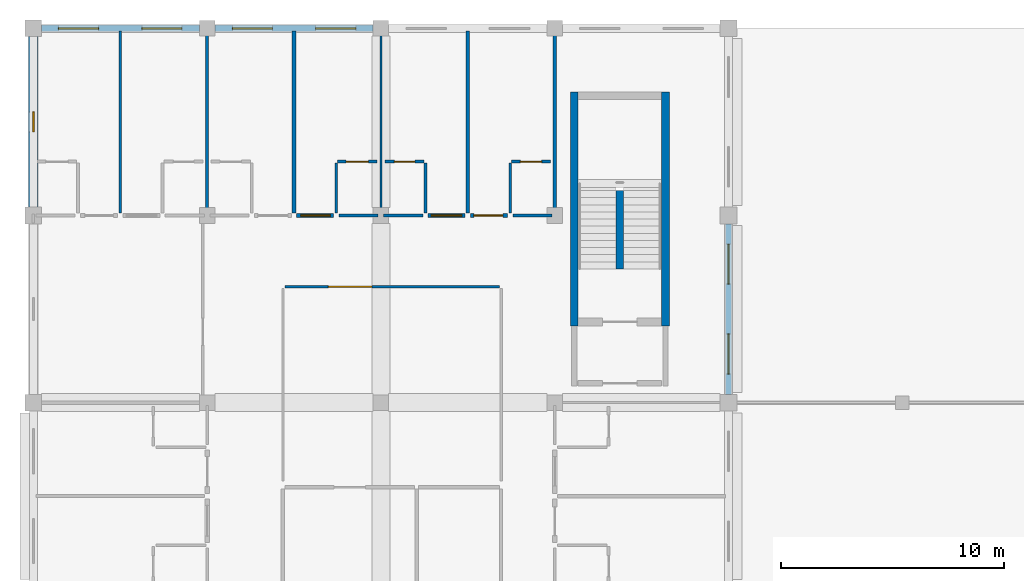
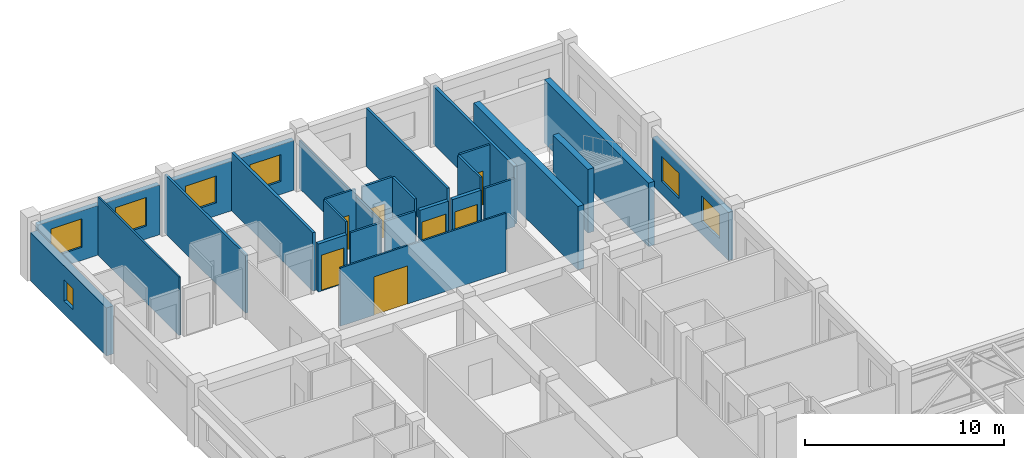
# One storey, part 59 of 72: 26 walls, 7 doors, 7 windows, 14 openings.
"""IFC4 building model written with IfcOpenShell, lengths in metres."""

import ifcopenshell
import ifcopenshell.guid

model = None  # the IFC model being written
_history = None  # IfcOwnerHistory: only IFC2X3 demands one
_inside = {}  # id of a spatial element -> (the spatial element, [elements in it])
_under = {}  # id of a project, library or spatial element -> (it, [spatial elements below it])
_declared = {}  # id of a project -> (the project, [libraries it declares])
_typed = {}  # id of a type object -> (the type object, [elements of that type])
_made_of = {}  # id of a material, layer set ... -> (it, [elements and type objects made of it])


def new_model(schema):
    """Start an empty IFC model of exactly this schema.

    Asked for "IFC4X3", IfcOpenShell would pick the latest addendum, in which some entities
    have other attributes; the version numbers below select the first issue.
    IFC2X3 requires an IfcOwnerHistory on every rooted entity: one is made here for all.
    """
    global model, _history
    if schema == "IFC4X3":
        model = ifcopenshell.file(schema_version=(4, 3, 0, 0))
    else:
        model = ifcopenshell.file(schema=schema)
    _inside.clear()
    _under.clear()
    _declared.clear()
    _typed.clear()
    _made_of.clear()
    _history = None
    if model.schema == "IFC2X3":
        org = make("IfcOrganization", Name="unknown")
        user = make(
            "IfcPersonAndOrganization",
            ThePerson=make("IfcPerson", FamilyName="unknown"),
            TheOrganization=org,
        )
        app = make(
            "IfcApplication",
            ApplicationDeveloper=org,
            Version="unknown",
            ApplicationFullName="unknown",
            ApplicationIdentifier="unknown",
        )
        _history = make(
            "IfcOwnerHistory",
            OwningUser=user,
            OwningApplication=app,
            ChangeAction="ADDED",
            CreationDate=0,
        )
    return model


def make(cls, **values):
    """One entity of the class cls with the attributes given. An attribute that is None is left unset."""
    return model.create_entity(
        cls, **{name: value for name, value in values.items() if value is not None}
    )


def rooted(cls, **values):
    """An entity with a GlobalId (a new one), such as an element, a storey or a relation."""
    return make(cls, GlobalId=ifcopenshell.guid.new(), OwnerHistory=_history, **values)


def si_unit(unit_type, name, prefix=None):
    """IfcSIUnit, for example si_unit("LENGTHUNIT", "METRE", prefix="MILLI")."""
    return make("IfcSIUnit", UnitType=unit_type, Prefix=prefix, Name=name)


def assignment(units):
    """IfcUnitAssignment: the units of a project."""
    return None if units is None else make("IfcUnitAssignment", Units=units)


def point(xyz):
    """IfcCartesianPoint."""
    return None if xyz is None else make("IfcCartesianPoint", Coordinates=xyz)


def direction(xyz):
    """IfcDirection."""
    return None if xyz is None else make("IfcDirection", DirectionRatios=xyz)


def frame(location, z_axis=None, x_axis=None):
    """IfcAxis2Placement3D, a coordinate frame: its origin and axes. An axis left out is left unset."""
    return make(
        "IfcAxis2Placement3D",
        Location=point(location),
        Axis=direction(z_axis),
        RefDirection=direction(x_axis),
    )


def frame_2d(location, x_axis=None):
    """IfcAxis2Placement2D, a coordinate frame in the plane: its origin and x axis."""
    return make(
        "IfcAxis2Placement2D", Location=point(location), RefDirection=direction(x_axis)
    )


def origin():
    """The frame at (0, 0, 0) with its axes left unset."""
    return frame((0.0, 0.0, 0.0))


def place(relative_to, where):
    """IfcLocalPlacement: puts the frame where relative to a parent placement (None: the world)."""
    return make(
        "IfcLocalPlacement", PlacementRelTo=relative_to, RelativePlacement=where
    )


def context(
    kind, dimensions, precision=None, world=None, true_north=None, identifier=None
):
    """IfcGeometricRepresentationContext, for example the 3D "Model" context."""
    return make(
        "IfcGeometricRepresentationContext",
        ContextIdentifier=identifier,
        ContextType=kind,
        CoordinateSpaceDimension=dimensions,
        Precision=precision,
        WorldCoordinateSystem=world,
        TrueNorth=true_north,
    )


def subcontext(parent, identifier, kind, view, scale=None):
    """IfcGeometricRepresentationSubContext, for example "Body" below "Model"."""
    return make(
        "IfcGeometricRepresentationSubContext",
        ContextIdentifier=identifier,
        ContextType=kind,
        ParentContext=parent,
        TargetScale=scale,
        TargetView=view,
    )


def project(units=None, contexts=None):
    """IfcProject with its units and contexts."""
    return rooted(
        "IfcProject",
        Name="project",
        RepresentationContexts=contexts,
        UnitsInContext=assignment(units),
    )


def spatial(cls, under=None, at=None, **own):
    """A site, building, storey or space (cls), placed at a placement, below another one or the project."""
    s = rooted(cls, ObjectPlacement=at, **own)
    if under is not None:
        _under.setdefault(under.id(), (under, []))[1].append(s)
    return s


def profile(cls, at=None, kind="AREA", **sizes):
    """A parametric profile (cls). Its sizes go by their IFC names, for example OverallWidth=200.0."""
    return make(cls, ProfileType=kind, Position=at, **sizes)


def rectangle(**sizes):
    """IfcRectangleProfileDef."""
    return profile("IfcRectangleProfileDef", **sizes)


def extrude(swept, where, along, depth):
    """IfcExtrudedAreaSolid: the profile swept, set in the frame where, extruded along a direction by depth."""
    return make(
        "IfcExtrudedAreaSolid",
        SweptArea=swept,
        Position=where,
        ExtrudedDirection=direction(along),
        Depth=depth,
    )


def shape(context_of_items, identifier, shape_type, items):
    """IfcShapeRepresentation: the items that make up one representation, for example the "Body"."""
    return make(
        "IfcShapeRepresentation",
        ContextOfItems=context_of_items,
        RepresentationIdentifier=identifier,
        RepresentationType=shape_type,
        Items=items,
    )


def material(Name=None, Category=None):
    """IfcMaterial."""
    return make("IfcMaterial", Name=Name, Category=Category)


def layer(
    of_material, thickness, ventilated=None, Name=None, Category=None, Priority=None
):
    """IfcMaterialLayer: one layer of a wall or slab, of a material (None: an air gap)."""
    return make(
        "IfcMaterialLayer",
        Material=of_material,
        LayerThickness=thickness,
        IsVentilated=ventilated,
        Name=Name,
        Category=Category,
        Priority=Priority,
    )


def layer_set(layers, Name=None):
    """IfcMaterialLayerSet."""
    return make("IfcMaterialLayerSet", MaterialLayers=layers, LayerSetName=Name)


def made_of(thing, what):
    """Note that an element or type object is made of a material, layer set ...; save() writes the relation."""
    if what is not None:
        _made_of.setdefault(what.id(), (what, []))[1].append(thing)
    return thing


def type_object(cls, material=None, **own):
    """A type object (cls), such as IfcWallType, which elements share."""
    return made_of(rooted(cls, **own), material)


def element(
    cls,
    number,
    at=None,
    inside=None,
    cuts=None,
    type_object=None,
    material=None,
    context=None,
    identifier="Body",
    shape_type=None,
    held_by="IfcProductDefinitionShape",
    body=None,
    shapes=None,
    **own,
):
    """One element of the class cls, such as IfcWall. Its Tag is "e" and its number.

    at: its placement. inside: the storey or other place that contains it. cuts: it is an
    opening in that element (IfcRelVoidsElement). A single representation is given by context,
    identifier, shape_type and body (its items); several are given by shapes. held_by: the class
    of the entity that holds the representations. save() writes the other relations.
    """
    e = rooted(cls, Tag="e%d" % number, ObjectPlacement=at, **own)
    if body is not None:
        shapes = [shape(context, identifier, shape_type, body)]
    if shapes is not None:
        e.Representation = make(held_by, Representations=shapes)
    if inside is not None:
        _inside.setdefault(inside.id(), (inside, []))[1].append(e)
    if cuts is not None:
        rooted(
            "IfcRelVoidsElement", RelatingBuildingElement=cuts, RelatedOpeningElement=e
        )
    if type_object is not None:
        _typed.setdefault(type_object.id(), (type_object, []))[1].append(e)
    return made_of(e, material)


def fill(opening, filler):
    """IfcRelFillsElement: the door or window that sits in an opening."""
    return rooted(
        "IfcRelFillsElement",
        RelatingOpeningElement=opening,
        RelatedBuildingElement=filler,
    )


def aggregate(whole, parts):
    """IfcRelAggregates: a whole, such as a stair, and the parts it consists of."""
    return rooted("IfcRelAggregates", RelatingObject=whole, RelatedObjects=parts)


def save(model, path):
    """Write the relations noted so far, then the file.

    IfcRelAggregates (storeys below a building ...), IfcRelContainedInSpatialStructure (elements
    in a storey), IfcRelDefinesByType, IfcRelAssociatesMaterial and IfcRelDeclares: one each for
    every whole, place, type object, material and project.
    """
    for whole, parts in _under.values():
        aggregate(whole, parts)
    for where, things in _inside.values():
        rooted(
            "IfcRelContainedInSpatialStructure",
            RelatedElements=things,
            RelatingStructure=where,
        )
    for kind, things in _typed.values():
        rooted("IfcRelDefinesByType", RelatedObjects=things, RelatingType=kind)
    for what, things in _made_of.values():
        rooted("IfcRelAssociatesMaterial", RelatedObjects=things, RelatingMaterial=what)
    for by, libraries in _declared.values():
        rooted("IfcRelDeclares", RelatingContext=by, RelatedDefinitions=libraries)
    model.write(path)


model = new_model("IFC4")

# Units and contexts
model_context = context("Model", 3, precision=1e-05, world=origin(), true_north=direction((0.0, 1.0)))
body_context = subcontext(model_context, "Body", "Model", "MODEL_VIEW")
ifc_project = project(units=[si_unit("LENGTHUNIT", "METRE"), si_unit("AREAUNIT", "SQUARE_METRE"), si_unit("VOLUMEUNIT", "CUBIC_METRE"), si_unit("PLANEANGLEUNIT", "RADIAN"), si_unit("MASSUNIT", "GRAM", prefix="KILO"), si_unit("THERMODYNAMICTEMPERATUREUNIT", "KELVIN"), si_unit("POWERUNIT", "WATT")], contexts=[model_context])

# Site, building, storey
site_placement = place(None, origin())
site = spatial("IfcSite", under=ifc_project, at=site_placement, CompositionType="ELEMENT")
building_placement = place(site_placement, origin())
building = spatial("IfcBuilding", under=site, at=building_placement, Name="Srebrne Nadtorze General Hospital", CompositionType="ELEMENT")
storey_placement = place(building_placement, frame((0.0, 0.0, 22.199951171875)))
storey = spatial("IfcBuildingStorey", under=building, at=storey_placement, Name="L05", CompositionType="ELEMENT", Elevation=22.199951171875)

# Wall, opening, window
ifc_material_1 = material(Name="Concrete C40/50", Category="concrete")
ifc_layer_1 = layer(ifc_material_1, 0.419921875)
ifc_layer_set_1 = layer_set([ifc_layer_1], Name="Concrete C40/50")
wall_type_1 = type_object("IfcWallType", Name="Acoustic buffer wall 420", PredefinedType="SOLIDWALL", material=ifc_layer_set_1)
wall_1_placement = place(storey_placement, frame((23.39990234375, 84.375, 0.0), z_axis=(0.0, 0.0, 1.0), x_axis=(0.0, 1.0, 0.0)))
wall_1 = element("IfcWall", 1, at=wall_1_placement, inside=storey, type_object=wall_type_1, Name="Exterior wall WL-ENV-L05-0433", PredefinedType="SOLIDWALL", context=body_context, shape_type="SweptSolid", body=[
    extrude(rectangle(XDim=7.64990234375, YDim=0.419921875, at=frame_2d((3.824951171875, 0.0))), origin(), (0.0, 0.0, 1.0), 2.949951171875),
])
opening_1_placement = place(wall_1_placement, frame((3.375, 0.0, 0.800048828125)))
opening_1 = element("IfcOpeningElement", 2, at=opening_1_placement, cuts=wall_1, Name="Opening WN-L05-0694", PredefinedType="OPENING", context=body_context, shape_type="SweptSolid", body=[
    extrude(rectangle(XDim=0.89990234375, YDim=1.300048828125, at=frame_2d((0.449951171875, 0.64990234375))), frame((0.0, 0.221923828125, 0.0), z_axis=(0.0, -1.0, 0.0), x_axis=(1.0, 0.0, 0.0)), (0.0, 0.0, 1.0), 0.44384765625),
])
ifc_material_2 = material(Name="Triple Low-E Glazing", Category="glass")
window_type_1 = type_object("IfcWindowType", Name="Punched clinical window 900x1300", PartitioningType="SINGLE_PANEL", PredefinedType="WINDOW", material=ifc_material_2)
window_1_placement = place(opening_1_placement, origin())
window_1 = element("IfcWindow", 3, at=window_1_placement, inside=storey, type_object=window_type_1, Name="Clinical window WN-L05-0694", OverallHeight=1.300048828125, OverallWidth=0.89990234375, PartitioningType="SINGLE_PANEL", PredefinedType="WINDOW", context=body_context, shape_type="SweptSolid", body=[
    extrude(rectangle(XDim=0.89990234375, YDim=1.300048828125, at=frame_2d((0.449951171875, 0.64990234375))), frame((0.0, 0.030029296875, 0.0), z_axis=(0.0, -1.0, 0.0), x_axis=(1.0, 0.0, 0.0)), (0.0, 0.0, 1.0), 0.06005859375),
])
fill(opening_1, window_1)

# Walls
ifc_material_3 = material(Name="Gypsum Healthcare Partition")
ifc_layer_2 = layer(ifc_material_3, 0.139892578125)
ifc_layer_set_2 = layer_set([ifc_layer_2], Name="Gypsum Healthcare Partition")
wall_type_2 = type_object("IfcWallType", Name="Clinical partition 140", PredefinedType="PARTITIONING", material=ifc_layer_set_2)
for number, where, z_axis, x_axis, name in (
    (4, (31.199951171875, 84.1201171875, 0.0), (0.0, 0.0, 1.0), (0.0, 1.0, 0.0), "Ward inter-room partition WL-INT-L05-1927"),
    (5, (42.89990234375, 84.1201171875, 0.0), (0.0, 0.0, 1.0), (0.0, 1.0, 0.0), "Ward inter-room partition WL-INT-L05-1942"),
):
    element("IfcWall", number, at=place(storey_placement, frame(where, z_axis=z_axis, x_axis=x_axis)), inside=storey, type_object=wall_type_2, Name=name, PredefinedType="PARTITIONING", context=body_context, shape_type="SweptSolid", body=[
        extrude(rectangle(XDim=8.159912109375, YDim=0.139892578125, at=frame_2d((4.080078125, 0.0))), origin(), (0.0, 0.0, 1.0), 3.580078125),
    ])
ifc_material_4 = material(Name="Gypsum Healthcare Partition")
ifc_layer_3 = layer(ifc_material_4, 0.159912109375)
ifc_layer_set_3 = layer_set([ifc_layer_3], Name="Gypsum Healthcare Partition")
wall_type_3 = type_object("IfcWallType", Name="Clinical partition 160", PredefinedType="PARTITIONING", material=ifc_layer_set_3)
for number, where, z_axis, x_axis, name in (
    (6, (35.10009765625, 84.1201171875, 0.0), (0.0, 0.0, 1.0), (0.0, 1.0, 0.0), "Ward inter-room partition WL-INT-L05-1932"),
    (7, (46.800048828125, 84.1201171875, 0.0), (0.0, 0.0, 1.0), (0.0, 1.0, 0.0), "Ward inter-room partition WL-INT-L05-1947"),
):
    element("IfcWall", number, at=place(storey_placement, frame(where, z_axis=z_axis, x_axis=x_axis)), inside=storey, type_object=wall_type_3, Name=name, PredefinedType="PARTITIONING", context=body_context, shape_type="SweptSolid", body=[
        extrude(rectangle(XDim=8.159912109375, YDim=0.159912109375, at=frame_2d((4.080078125, 0.0))), origin(), (0.0, 0.0, 1.0), 3.580078125),
    ])

# Wall, opening, door
ifc_material_5 = material(Name="Gypsum Healthcare Partition")
ifc_layer_4 = layer(ifc_material_5, 0.199951171875)
ifc_layer_set_4 = layer_set([ifc_layer_4], Name="Gypsum Healthcare Partition")
wall_type_4 = type_object("IfcWallType", Name="Compartment wall 200", PredefinedType="STANDARD", material=ifc_layer_set_4)
wall_2_placement = place(storey_placement, frame((35.219970703125, 84.0, 0.0), z_axis=(0.0, 0.0, 1.0), x_axis=(1.0, 0.0, 0.0)))
wall_2 = element("IfcWall", 8, at=wall_2_placement, inside=storey, type_object=wall_type_4, Name="Ward corridor wall WL-INT-L05-1938", PredefinedType="STANDARD", context=body_context, shape_type="SweptSolid", body=[
    extrude(rectangle(XDim=1.659912109375, YDim=0.199951171875, at=frame_2d((0.830078125, 0.0))), origin(), (0.0, 0.0, 1.0), 2.949951171875),
])
opening_2_placement = place(wall_2_placement, frame((0.18994140625, 0.0, 0.0)))
opening_2 = element("IfcOpeningElement", 9, at=opening_2_placement, cuts=wall_2, Name="Opening D-L05-0380", PredefinedType="OPENING", context=body_context, shape_type="SweptSolid", body=[
    extrude(rectangle(XDim=1.320068359375, YDim=2.199951171875, at=frame_2d((0.66015625, 1.10009765625))), frame((0.0, 0.11181640625, 0.0), z_axis=(0.0, -1.0, 0.0), x_axis=(1.0, 0.0, 0.0)), (0.0, 0.0, 1.0), 0.223876953125),
])
ifc_material_6 = material(Name="Anodised Aluminium", Category="aluminium")
door_type_1 = type_object("IfcDoorType", Name="Single leaf door 1320x2200", OperationType="NOTDEFINED", PredefinedType="DOOR", material=ifc_material_6)
door_1_placement = place(opening_2_placement, origin())
door_1 = element("IfcDoor", 10, at=door_1_placement, inside=storey, type_object=door_type_1, Name="Ward patient room door D-L05-0380", OperationType="SINGLE_SWING_RIGHT", OverallHeight=2.199951171875, OverallWidth=1.320068359375, PredefinedType="DOOR", context=body_context, shape_type="SweptSolid", body=[
    extrude(rectangle(XDim=1.320068359375, YDim=2.199951171875, at=frame_2d((0.66015625, 1.10009765625))), frame((0.0, 0.02490234375, 0.0), z_axis=(0.0, -1.0, 0.0), x_axis=(1.0, 0.0, 0.0)), (0.0, 0.0, 1.0), 0.050048828125),
])
fill(opening_2, door_1)

wall_3_placement = place(storey_placement, frame((41.1201171875, 84.0, 0.0), z_axis=(0.0, 0.0, 1.0), x_axis=(1.0, 0.0, 0.0)))
wall_3 = element("IfcWall", 11, at=wall_3_placement, inside=storey, type_object=wall_type_4, Name="Ward corridor wall WL-INT-L05-1943", PredefinedType="STANDARD", context=body_context, shape_type="SweptSolid", body=[
    extrude(rectangle(XDim=1.659912109375, YDim=0.199951171875, at=frame_2d((0.830078125, 0.0))), origin(), (0.0, 0.0, 1.0), 2.949951171875),
])
opening_3_placement = place(wall_3_placement, frame((0.139892578125, 0.0, 0.0)))
opening_3 = element("IfcOpeningElement", 12, at=opening_3_placement, cuts=wall_3, Name="Opening D-L05-0382", PredefinedType="OPENING", context=body_context, shape_type="SweptSolid", body=[
    extrude(rectangle(XDim=1.3798828125, YDim=2.199951171875, at=frame_2d((0.68994140625, 1.10009765625))), frame((0.0, 0.11181640625, 0.0), z_axis=(0.0, -1.0, 0.0), x_axis=(1.0, 0.0, 0.0)), (0.0, 0.0, 1.0), 0.223876953125),
])
ifc_material_7 = material(Name="Anodised Aluminium", Category="aluminium")
door_type_2 = type_object("IfcDoorType", Name="Single leaf door 1380x2200", OperationType="NOTDEFINED", PredefinedType="DOOR", material=ifc_material_7)
door_2_placement = place(opening_3_placement, origin())
door_2 = element("IfcDoor", 13, at=door_2_placement, inside=storey, type_object=door_type_2, Name="Ward patient room door D-L05-0382", OperationType="SINGLE_SWING_LEFT", OverallHeight=2.199951171875, OverallWidth=1.3798828125, PredefinedType="DOOR", context=body_context, shape_type="SweptSolid", body=[
    extrude(rectangle(XDim=1.3798828125, YDim=2.199951171875, at=frame_2d((0.68994140625, 1.10009765625))), frame((0.0, 0.02490234375, 0.0), z_axis=(0.0, -1.0, 0.0), x_axis=(1.0, 0.0, 0.0)), (0.0, 0.0, 1.0), 0.050048828125),
])
fill(opening_3, door_2)

wall_4_placement = place(storey_placement, frame((43.02001953125, 84.0, 0.0), z_axis=(0.0, 0.0, 1.0), x_axis=(1.0, 0.0, 0.0)))
wall_4 = element("IfcWall", 14, at=wall_4_placement, inside=storey, type_object=wall_type_4, Name="Ward corridor wall WL-INT-L05-1948", PredefinedType="STANDARD", context=body_context, shape_type="SweptSolid", body=[
    extrude(rectangle(XDim=1.659912109375, YDim=0.199951171875, at=frame_2d((0.830078125, 0.0))), origin(), (0.0, 0.0, 1.0), 2.949951171875),
])
opening_4_placement = place(wall_4_placement, frame((0.155029296875, 0.0, 0.0)))
opening_4 = element("IfcOpeningElement", 15, at=opening_4_placement, cuts=wall_4, Name="Opening D-L05-0384", PredefinedType="OPENING", context=body_context, shape_type="SweptSolid", body=[
    extrude(rectangle(XDim=1.300048828125, YDim=2.14990234375, at=frame_2d((0.64990234375, 1.074951171875))), frame((0.0, 0.11181640625, 0.0), z_axis=(0.0, -1.0, 0.0), x_axis=(1.0, 0.0, 0.0)), (0.0, 0.0, 1.0), 0.223876953125),
])
ifc_material_8 = material(Name="Anodised Aluminium", Category="aluminium")
door_type_3 = type_object("IfcDoorType", Name="Single leaf door 1300x2150", OperationType="NOTDEFINED", PredefinedType="DOOR", material=ifc_material_8)
door_3_placement = place(opening_4_placement, origin())
door_3 = element("IfcDoor", 16, at=door_3_placement, inside=storey, type_object=door_type_3, Name="Ward patient room door D-L05-0384", OperationType="SINGLE_SWING_RIGHT", OverallHeight=2.14990234375, OverallWidth=1.300048828125, PredefinedType="DOOR", context=body_context, shape_type="SweptSolid", body=[
    extrude(rectangle(XDim=1.300048828125, YDim=2.14990234375, at=frame_2d((0.64990234375, 1.074951171875))), frame((0.0, 0.02490234375, 0.0), z_axis=(0.0, -1.0, 0.0), x_axis=(1.0, 0.0, 0.0)), (0.0, 0.0, 1.0), 0.050048828125),
])
fill(opening_4, door_3)

# Walls
ifc_material_9 = material(Name="Gypsum Healthcare Partition")
ifc_layer_5 = layer(ifc_material_9, 0.1201171875)
ifc_layer_set_5 = layer_set([ifc_layer_5], Name="Gypsum Healthcare Partition")
wall_type_5 = type_object("IfcWallType", Name="En-suite partition 120", PredefinedType="PARTITIONING", material=ifc_layer_set_5)
wall_5_placement = place(storey_placement, frame((37.1201171875, 84.0, 0.0), z_axis=(0.0, 0.0, 1.0), x_axis=(1.0, 0.0, 0.0)))
element("IfcWall", 17, at=wall_5_placement, inside=storey, type_object=wall_type_5, Name="En-suite corridor wall WL-INT-L05-1939", PredefinedType="PARTITIONING", context=body_context, shape_type="SweptSolid", body=[
    extrude(rectangle(XDim=1.759765625, YDim=0.1201171875, at=frame_2d((0.8798828125, 0.0))), origin(), (0.0, 0.0, 1.0), 2.949951171875),
])
wall_6_placement = place(storey_placement, frame((37.0, 84.1201171875, 0.0), z_axis=(0.0, 0.0, 1.0), x_axis=(0.0, 1.0, 0.0)))
element("IfcWall", 18, at=wall_6_placement, inside=storey, type_object=wall_type_5, Name="En-suite wet wall WL-INT-L05-1940", PredefinedType="PARTITIONING", context=body_context, shape_type="SweptSolid", body=[
    extrude(rectangle(XDim=2.239990234375, YDim=0.1201171875, at=frame_2d((1.1201171875, 0.0))), origin(), (0.0, 0.0, 1.0), 3.580078125),
])

# Wall, opening, door
wall_7_placement = place(storey_placement, frame((37.06005859375, 86.419921875, 0.0), z_axis=(0.0, 0.0, 1.0), x_axis=(1.0, 0.0, 0.0)))
wall_7 = element("IfcWall", 19, at=wall_7_placement, inside=storey, type_object=wall_type_5, Name="En-suite wet wall WL-INT-L05-1941", PredefinedType="PARTITIONING", context=body_context, shape_type="SweptSolid", body=[
    extrude(rectangle(XDim=1.760009765625, YDim=0.1201171875, at=frame_2d((0.8798828125, 0.0))), origin(), (0.0, 0.0, 1.0), 3.580078125),
])
opening_5_placement = place(wall_7_placement, frame((0.3798828125, 0.0, 0.0)))
opening_5 = element("IfcOpeningElement", 20, at=opening_5_placement, cuts=wall_7, Name="Opening D-L05-0381", PredefinedType="OPENING", context=body_context, shape_type="SweptSolid", body=[
    extrude(rectangle(XDim=1.0, YDim=2.10009765625, at=frame_2d((0.5, 1.050048828125))), frame((0.0, 0.072021484375, 0.0), z_axis=(0.0, -1.0, 0.0), x_axis=(1.0, 0.0, 0.0)), (0.0, 0.0, 1.0), 0.14404296875),
])
ifc_material_10 = material(Name="Anodised Aluminium", Category="aluminium")
door_type_4 = type_object("IfcDoorType", Name="Single leaf door 1000x2100", OperationType="NOTDEFINED", PredefinedType="DOOR", material=ifc_material_10)
door_4_placement = place(opening_5_placement, frame((1.0, 0.0, 0.0), z_axis=(0.0, 0.0, 1.0), x_axis=(-1.0, 0.0, 0.0)))
door_4 = element("IfcDoor", 21, at=door_4_placement, inside=storey, type_object=door_type_4, Name="En-suite bathroom door D-L05-0381", OperationType="SINGLE_SWING_LEFT", OverallHeight=2.10009765625, OverallWidth=1.0, PredefinedType="DOOR", context=body_context, shape_type="SweptSolid", body=[
    extrude(rectangle(XDim=1.0, YDim=2.10009765625, at=frame_2d((0.5, 1.050048828125))), frame((0.0, 0.02490234375, 0.0), z_axis=(0.0, -1.0, 0.0), x_axis=(1.0, 0.0, 0.0)), (0.0, 0.0, 1.0), 0.050048828125),
])
fill(opening_5, door_4)

# Walls
wall_8_placement = place(storey_placement, frame((39.1201171875, 84.0, 0.0), z_axis=(0.0, 0.0, 1.0), x_axis=(1.0, 0.0, 0.0)))
element("IfcWall", 22, at=wall_8_placement, inside=storey, type_object=wall_type_5, Name="En-suite corridor wall WL-INT-L05-1944", PredefinedType="PARTITIONING", context=body_context, shape_type="SweptSolid", body=[
    extrude(rectangle(XDim=1.759765625, YDim=0.1201171875, at=frame_2d((0.8798828125, 0.0))), origin(), (0.0, 0.0, 1.0), 2.949951171875),
])
wall_9_placement = place(storey_placement, frame((41.0, 84.1201171875, 0.0), z_axis=(0.0, 0.0, 1.0), x_axis=(0.0, 1.0, 0.0)))
element("IfcWall", 23, at=wall_9_placement, inside=storey, type_object=wall_type_5, Name="En-suite wet wall WL-INT-L05-1945", PredefinedType="PARTITIONING", context=body_context, shape_type="SweptSolid", body=[
    extrude(rectangle(XDim=2.239990234375, YDim=0.1201171875, at=frame_2d((1.1201171875, 0.0))), origin(), (0.0, 0.0, 1.0), 3.580078125),
])

# Wall, opening, door
wall_10_placement = place(storey_placement, frame((39.179931640625, 86.419921875, 0.0), z_axis=(0.0, 0.0, 1.0), x_axis=(1.0, 0.0, 0.0)))
wall_10 = element("IfcWall", 24, at=wall_10_placement, inside=storey, type_object=wall_type_5, Name="En-suite wet wall WL-INT-L05-1946", PredefinedType="PARTITIONING", context=body_context, shape_type="SweptSolid", body=[
    extrude(rectangle(XDim=1.760009765625, YDim=0.1201171875, at=frame_2d((0.8798828125, 0.0))), origin(), (0.0, 0.0, 1.0), 3.580078125),
])
opening_6_placement = place(wall_10_placement, frame((0.419921875, 0.0, 0.0)))
opening_6 = element("IfcOpeningElement", 25, at=opening_6_placement, cuts=wall_10, Name="Opening D-L05-0383", PredefinedType="OPENING", context=body_context, shape_type="SweptSolid", body=[
    extrude(rectangle(XDim=0.919921875, YDim=2.080078125, at=frame_2d((0.4599609375, 1.0400390625))), frame((0.0, 0.072021484375, 0.0), z_axis=(0.0, -1.0, 0.0), x_axis=(1.0, 0.0, 0.0)), (0.0, 0.0, 1.0), 0.14404296875),
])
ifc_material_11 = material(Name="Anodised Aluminium", Category="aluminium")
door_type_5 = type_object("IfcDoorType", Name="Single leaf door 920x2080", OperationType="NOTDEFINED", PredefinedType="DOOR", material=ifc_material_11)
door_5_placement = place(opening_6_placement, frame((0.919921875, 0.0, 0.0), z_axis=(0.0, 0.0, 1.0), x_axis=(-1.0, 0.0, 0.0)))
door_5 = element("IfcDoor", 26, at=door_5_placement, inside=storey, type_object=door_type_5, Name="En-suite bathroom door D-L05-0383", OperationType="SINGLE_SWING_LEFT", OverallHeight=2.080078125, OverallWidth=0.919921875, PredefinedType="DOOR", context=body_context, shape_type="SweptSolid", body=[
    extrude(rectangle(XDim=0.919921875, YDim=2.080078125, at=frame_2d((0.4599609375, 1.0400390625))), frame((0.0, 0.02490234375, 0.0), z_axis=(0.0, -1.0, 0.0), x_axis=(1.0, 0.0, 0.0)), (0.0, 0.0, 1.0), 0.050048828125),
])
fill(opening_6, door_5)

# Walls
wall_11_placement = place(storey_placement, frame((44.919921875, 84.0, 0.0), z_axis=(0.0, 0.0, 1.0), x_axis=(1.0, 0.0, 0.0)))
element("IfcWall", 27, at=wall_11_placement, inside=storey, type_object=wall_type_5, Name="En-suite corridor wall WL-INT-L05-1949", PredefinedType="PARTITIONING", context=body_context, shape_type="SweptSolid", body=[
    extrude(rectangle(XDim=1.760009765625, YDim=0.1201171875, at=frame_2d((0.8798828125, 0.0))), origin(), (0.0, 0.0, 1.0), 2.949951171875),
])
wall_12_placement = place(storey_placement, frame((44.800048828125, 84.1201171875, 0.0), z_axis=(0.0, 0.0, 1.0), x_axis=(0.0, 1.0, 0.0)))
element("IfcWall", 28, at=wall_12_placement, inside=storey, type_object=wall_type_5, Name="En-suite wet wall WL-INT-L05-1950", PredefinedType="PARTITIONING", context=body_context, shape_type="SweptSolid", body=[
    extrude(rectangle(XDim=2.239990234375, YDim=0.1201171875, at=frame_2d((1.1201171875, 0.0))), origin(), (0.0, 0.0, 1.0), 3.580078125),
])

# Wall, opening, door
wall_13_placement = place(storey_placement, frame((44.860107421875, 86.419921875, 0.0), z_axis=(0.0, 0.0, 1.0), x_axis=(1.0, 0.0, 0.0)))
wall_13 = element("IfcWall", 29, at=wall_13_placement, inside=storey, type_object=wall_type_5, Name="En-suite wet wall WL-INT-L05-1951", PredefinedType="PARTITIONING", context=body_context, shape_type="SweptSolid", body=[
    extrude(rectangle(XDim=1.760009765625, YDim=0.1201171875, at=frame_2d((0.8798828125, 0.0))), origin(), (0.0, 0.0, 1.0), 3.580078125),
])
opening_7_placement = place(wall_13_placement, frame((0.405029296875, 0.0, 0.0)))
opening_7 = element("IfcOpeningElement", 30, at=opening_7_placement, cuts=wall_13, Name="Opening D-L05-0385", PredefinedType="OPENING", context=body_context, shape_type="SweptSolid", body=[
    extrude(rectangle(XDim=0.949951171875, YDim=2.10009765625, at=frame_2d((0.47509765625, 1.050048828125))), frame((0.0, 0.072021484375, 0.0), z_axis=(0.0, -1.0, 0.0), x_axis=(1.0, 0.0, 0.0)), (0.0, 0.0, 1.0), 0.14404296875),
])
ifc_material_12 = material(Name="Anodised Aluminium", Category="aluminium")
door_type_6 = type_object("IfcDoorType", Name="Single leaf door 950x2100", OperationType="NOTDEFINED", PredefinedType="DOOR", material=ifc_material_12)
door_6_placement = place(opening_7_placement, frame((0.949951171875, 0.0, 0.0), z_axis=(0.0, 0.0, 1.0), x_axis=(-1.0, 0.0, 0.0)))
door_6 = element("IfcDoor", 31, at=door_6_placement, inside=storey, type_object=door_type_6, Name="En-suite bathroom door D-L05-0385", OperationType="SINGLE_SWING_LEFT", OverallHeight=2.10009765625, OverallWidth=0.949951171875, PredefinedType="DOOR", context=body_context, shape_type="SweptSolid", body=[
    extrude(rectangle(XDim=0.949951171875, YDim=2.10009765625, at=frame_2d((0.47509765625, 1.050048828125))), frame((0.0, 0.02490234375, 0.0), z_axis=(0.0, -1.0, 0.0), x_axis=(1.0, 0.0, 0.0)), (0.0, 0.0, 1.0), 0.050048828125),
])
fill(opening_7, door_6)

# Walls
ifc_material_13 = material(Name="Gypsum Healthcare Partition")
ifc_layer_6 = layer(ifc_material_13, 0.10009765625)
ifc_layer_set_6 = layer_set([ifc_layer_6], Name="Gypsum Healthcare Partition")
wall_type_6 = type_object("IfcWallType", Name="Shaft lining wall 100", PredefinedType="PARTITIONING", material=ifc_layer_set_6)
wall_14_placement = place(storey_placement, frame((27.300048828125, 84.1201171875, 0.0), z_axis=(0.0, 0.0, 1.0), x_axis=(0.0, 1.0, 0.0)))
element("IfcWall", 32, at=wall_14_placement, inside=storey, type_object=wall_type_6, Name="Ward inter-room partition WL-INT-L05-1922", PredefinedType="PARTITIONING", context=body_context, shape_type="SweptSolid", body=[
    extrude(rectangle(XDim=8.159912109375, YDim=0.10009765625, at=frame_2d((4.080078125, 0.0))), origin(), (0.0, 0.0, 1.0), 3.580078125),
])
wall_15_placement = place(storey_placement, frame((39.0, 84.1201171875, 0.0), z_axis=(0.0, 0.0, 1.0), x_axis=(0.0, 1.0, 0.0)))
element("IfcWall", 33, at=wall_15_placement, inside=storey, type_object=wall_type_6, Name="Ward inter-room partition WL-INT-L05-1937", PredefinedType="PARTITIONING", context=body_context, shape_type="SweptSolid", body=[
    extrude(rectangle(XDim=8.159912109375, YDim=0.10009765625, at=frame_2d((4.080078125, 0.0))), origin(), (0.0, 0.0, 1.0), 2.949951171875),
])

# Wall, opening, door
wall_16_placement = place(storey_placement, frame((34.68505859375, 80.800048828125, 0.0), z_axis=(0.0, 0.0, 1.0), x_axis=(1.0, 0.0, 0.0)))
wall_16 = element("IfcWall", 34, at=wall_16_placement, inside=storey, type_object=wall_type_6, Name="Neuro-Rehabilitation Gait Room wall WL-INT-L05-2115", PredefinedType="PARTITIONING", context=body_context, shape_type="SweptSolid", body=[
    extrude(rectangle(XDim=9.6298828125, YDim=0.10009765625, at=frame_2d((4.81494140625, 0.0))), origin(), (0.0, 0.0, 1.0), 3.580078125),
])
opening_8_placement = place(wall_16_placement, frame((1.95947265625, 0.0, 0.0)))
opening_8 = element("IfcOpeningElement", 35, at=opening_8_placement, cuts=wall_16, Name="Opening D-L05-0449", PredefinedType="OPENING", context=body_context, shape_type="SweptSolid", body=[
    extrude(rectangle(XDim=1.949951171875, YDim=2.35009765625, at=frame_2d((0.97509765625, 1.175048828125))), frame((0.0, 0.06201171875, 0.0), z_axis=(0.0, -1.0, 0.0), x_axis=(1.0, 0.0, 0.0)), (0.0, 0.0, 1.0), 0.1240234375),
])
ifc_material_14 = material(Name="Anodised Aluminium", Category="aluminium")
door_type_7 = type_object("IfcDoorType", Name="Double leaf door 1950x2350", OperationType="DOUBLE_DOOR_SINGLE_SWING", PredefinedType="DOOR", material=ifc_material_14)
door_7_placement = place(opening_8_placement, frame((1.949951171875, 0.0, 0.0), z_axis=(0.0, 0.0, 1.0), x_axis=(-1.0, 0.0, 0.0)))
door_7 = element("IfcDoor", 36, at=door_7_placement, inside=storey, type_object=door_type_7, Name="Neuro-Rehabilitation Gait Room door D-L05-0449", OperationType="DOUBLE_DOOR_SINGLE_SWING", OverallHeight=2.35009765625, OverallWidth=1.949951171875, PredefinedType="DOOR", context=body_context, shape_type="SweptSolid", body=[
    extrude(rectangle(XDim=1.949951171875, YDim=2.35009765625, at=frame_2d((0.97509765625, 1.175048828125))), frame((0.0, 0.02490234375, 0.0), z_axis=(0.0, -1.0, 0.0), x_axis=(1.0, 0.0, 0.0)), (0.0, 0.0, 1.0), 0.050048828125),
])
fill(opening_8, door_7)

# Walls
ifc_material_15 = material(Name="Concrete C40/50", Category="concrete")
ifc_layer_7 = layer(ifc_material_15, 0.35009765625)
ifc_layer_set_7 = layer_set([ifc_layer_7], Name="Concrete C40/50")
wall_type_7 = type_object("IfcWallType", Name="Shear core wall 350", PredefinedType="SHEAR", material=ifc_layer_set_7)
for number, where, z_axis, x_axis, name in (
    (37, (47.675048828125, 79.050048828125, 0.0), (0.0, 0.0, 1.0), (0.0, 1.0, 0.0), "Stair core wall ST-02 WL-INT-L05-0345"),
    (38, (51.77490234375, 79.050048828125, 0.0), (0.0, 0.0, 1.0), (0.0, 1.0, 0.0), "Stair core wall ST-02 WL-INT-L05-0346"),
):
    element("IfcWall", number, at=place(storey_placement, frame(where, z_axis=z_axis, x_axis=x_axis)), inside=storey, type_object=wall_type_7, Name=name, PredefinedType="SHEAR", context=body_context, shape_type="SweptSolid", body=[
        extrude(rectangle(XDim=10.5, YDim=0.35009765625, at=frame_2d((5.25, 0.0))), origin(), (0.0, 0.0, 1.0), 3.900146484375),
    ])
wall_17_placement = place(storey_placement, frame((49.72509765625, 81.60009765625, 0.0), z_axis=(0.0, 0.0, 1.0), x_axis=(0.0, 1.0, 0.0)))
element("IfcWall", 39, at=wall_17_placement, inside=storey, type_object=wall_type_7, Name="Stair spine wall ST-02 WL-INT-L05-0352", PredefinedType="SHEAR", context=body_context, shape_type="SweptSolid", body=[
    extrude(rectangle(XDim=3.52001953125, YDim=0.35009765625, at=frame_2d((1.760009765625, 0.0))), origin(), (0.0, 0.0, 1.0), 3.900146484375),
])

# Wall, openings, windows
ifc_material_16 = material(Name="Concrete C35/45 precast", Category="concrete")
ifc_layer_8 = layer(ifc_material_16, 0.280029296875)
ifc_layer_set_8 = layer_set([ifc_layer_8], Name="Concrete C35/45 precast")
wall_type_8 = type_object("IfcWallType", Name="Spandrel wall 280", PredefinedType="STANDARD", material=ifc_layer_set_8)
wall_18_placement = place(storey_placement, frame((23.77490234375, 92.39990234375, 0.0), z_axis=(0.0, 0.0, 1.0), x_axis=(1.0, 0.0, 0.0)))
wall_18 = element("IfcWall", 40, at=wall_18_placement, inside=storey, type_object=wall_type_8, Name="Exterior wall WL-ENV-L05-0414", PredefinedType="STANDARD", context=body_context, shape_type="SweptSolid", body=[
    extrude(rectangle(XDim=7.0751953125, YDim=0.280029296875, at=frame_2d((3.53759765625, 0.0))), origin(), (0.0, 0.0, 1.0), 3.050048828125),
])
opening_9_placement = place(wall_18_placement, frame((0.7529296875, 0.0, 0.800048828125)))
opening_9 = element("IfcOpeningElement", 41, at=opening_9_placement, cuts=wall_18, Name="Opening WN-L05-0659", PredefinedType="OPENING", context=body_context, shape_type="SweptSolid", body=[
    extrude(rectangle(XDim=1.800048828125, YDim=1.75, at=frame_2d((0.89990234375, 0.875))), frame((0.0, 0.15185546875, 0.0), z_axis=(0.0, -1.0, 0.0), x_axis=(1.0, 0.0, 0.0)), (0.0, 0.0, 1.0), 0.303955078125),
])
opening_10_placement = place(wall_18_placement, frame((4.4970703125, 0.0, 0.800048828125)))
opening_10 = element("IfcOpeningElement", 42, at=opening_10_placement, cuts=wall_18, Name="Opening WN-L05-0660", PredefinedType="OPENING", context=body_context, shape_type="SweptSolid", body=[
    extrude(rectangle(XDim=1.800048828125, YDim=1.75, at=frame_2d((0.89990234375, 0.875))), frame((0.0, 0.15185546875, 0.0), z_axis=(0.0, -1.0, 0.0), x_axis=(1.0, 0.0, 0.0)), (0.0, 0.0, 1.0), 0.303955078125),
])
ifc_material_17 = material(Name="Triple Low-E Glazing", Category="glass")
window_type_2 = type_object("IfcWindowType", Name="Punched clinical window 1800x1750", PartitioningType="DOUBLE_PANEL_VERTICAL", PredefinedType="WINDOW", material=ifc_material_17)
window_2_placement = place(opening_9_placement, origin())
window_2 = element("IfcWindow", 43, at=window_2_placement, inside=storey, type_object=window_type_2, Name="Clinical window WN-L05-0659", OverallHeight=1.75, OverallWidth=1.800048828125, PartitioningType="DOUBLE_PANEL_VERTICAL", PredefinedType="WINDOW", context=body_context, shape_type="SweptSolid", body=[
    extrude(rectangle(XDim=1.800048828125, YDim=1.75, at=frame_2d((0.89990234375, 0.875))), frame((0.0, 0.030029296875, 0.0), z_axis=(0.0, -1.0, 0.0), x_axis=(1.0, 0.0, 0.0)), (0.0, 0.0, 1.0), 0.06005859375),
])
fill(opening_9, window_2)
window_3_placement = place(opening_10_placement, origin())
window_3 = element("IfcWindow", 44, at=window_3_placement, inside=storey, type_object=window_type_2, Name="Clinical window WN-L05-0660", OverallHeight=1.75, OverallWidth=1.800048828125, PartitioningType="DOUBLE_PANEL_VERTICAL", PredefinedType="WINDOW", context=body_context, shape_type="SweptSolid", body=[
    extrude(rectangle(XDim=1.800048828125, YDim=1.75, at=frame_2d((0.89990234375, 0.875))), frame((0.0, 0.030029296875, 0.0), z_axis=(0.0, -1.0, 0.0), x_axis=(1.0, 0.0, 0.0)), (0.0, 0.0, 1.0), 0.06005859375),
])
fill(opening_10, window_3)

wall_19_placement = place(storey_placement, frame((31.550048828125, 92.39990234375, 0.0), z_axis=(0.0, 0.0, 1.0), x_axis=(1.0, 0.0, 0.0)))
wall_19 = element("IfcWall", 45, at=wall_19_placement, inside=storey, type_object=wall_type_8, Name="Exterior wall WL-ENV-L05-0415", PredefinedType="STANDARD", context=body_context, shape_type="SweptSolid", body=[
    extrude(rectangle(XDim=7.099853515625, YDim=0.280029296875, at=frame_2d((3.5498046875, 0.0))), origin(), (0.0, 0.0, 1.0), 3.050048828125),
])
opening_11_placement = place(wall_19_placement, frame((0.778076171875, 0.0, 0.800048828125)))
opening_11 = element("IfcOpeningElement", 46, at=opening_11_placement, cuts=wall_19, Name="Opening WN-L05-0661", PredefinedType="OPENING", context=body_context, shape_type="SweptSolid", body=[
    extrude(rectangle(XDim=1.800048828125, YDim=1.64990234375, at=frame_2d((0.89990234375, 0.824951171875))), frame((0.0, 0.15185546875, 0.0), z_axis=(0.0, -1.0, 0.0), x_axis=(1.0, 0.0, 0.0)), (0.0, 0.0, 1.0), 0.303955078125),
])
opening_12_placement = place(wall_19_placement, frame((4.52197265625, 0.0, 0.800048828125)))
opening_12 = element("IfcOpeningElement", 47, at=opening_12_placement, cuts=wall_19, Name="Opening WN-L05-0662", PredefinedType="OPENING", context=body_context, shape_type="SweptSolid", body=[
    extrude(rectangle(XDim=1.800048828125, YDim=1.64990234375, at=frame_2d((0.89990234375, 0.824951171875))), frame((0.0, 0.15185546875, 0.0), z_axis=(0.0, -1.0, 0.0), x_axis=(1.0, 0.0, 0.0)), (0.0, 0.0, 1.0), 0.303955078125),
])
ifc_material_18 = material(Name="Triple Low-E Glazing", Category="glass")
window_type_3 = type_object("IfcWindowType", Name="Punched clinical window 1800x1650", PartitioningType="DOUBLE_PANEL_VERTICAL", PredefinedType="WINDOW", material=ifc_material_18)
window_4_placement = place(opening_11_placement, origin())
window_4 = element("IfcWindow", 48, at=window_4_placement, inside=storey, type_object=window_type_3, Name="Clinical window WN-L05-0661", OverallHeight=1.64990234375, OverallWidth=1.800048828125, PartitioningType="DOUBLE_PANEL_VERTICAL", PredefinedType="WINDOW", context=body_context, shape_type="SweptSolid", body=[
    extrude(rectangle(XDim=1.800048828125, YDim=1.64990234375, at=frame_2d((0.89990234375, 0.824951171875))), frame((0.0, 0.030029296875, 0.0), z_axis=(0.0, -1.0, 0.0), x_axis=(1.0, 0.0, 0.0)), (0.0, 0.0, 1.0), 0.06005859375),
])
fill(opening_11, window_4)
window_5_placement = place(opening_12_placement, origin())
window_5 = element("IfcWindow", 49, at=window_5_placement, inside=storey, type_object=window_type_3, Name="Clinical window WN-L05-0662", OverallHeight=1.64990234375, OverallWidth=1.800048828125, PartitioningType="DOUBLE_PANEL_VERTICAL", PredefinedType="WINDOW", context=body_context, shape_type="SweptSolid", body=[
    extrude(rectangle(XDim=1.800048828125, YDim=1.64990234375, at=frame_2d((0.89990234375, 0.824951171875))), frame((0.0, 0.030029296875, 0.0), z_axis=(0.0, -1.0, 0.0), x_axis=(1.0, 0.0, 0.0)), (0.0, 0.0, 1.0), 0.06005859375),
])
fill(opening_12, window_5)

wall_20_placement = place(storey_placement, frame((54.60009765625, 75.97509765625, 0.0), z_axis=(0.0, 0.0, 1.0), x_axis=(0.0, 1.0, 0.0)))
wall_20 = element("IfcWall", 50, at=wall_20_placement, inside=storey, type_object=wall_type_8, Name="Exterior wall WL-ENV-L05-0439", PredefinedType="STANDARD", context=body_context, shape_type="SweptSolid", body=[
    extrude(rectangle(XDim=7.64990234375, YDim=0.280029296875, at=frame_2d((3.824951171875, 0.0))), origin(), (0.0, 0.0, 1.0), 2.949951171875),
])
opening_13_placement = place(wall_20_placement, frame((0.908935546875, 0.0, 0.800048828125)))
opening_13 = element("IfcOpeningElement", 51, at=opening_13_placement, cuts=wall_20, Name="Opening WN-L05-0705", PredefinedType="OPENING", context=body_context, shape_type="SweptSolid", body=[
    extrude(rectangle(XDim=1.800048828125, YDim=1.550048828125, at=frame_2d((0.89990234375, 0.77490234375))), frame((0.0, 0.15185546875, 0.0), z_axis=(0.0, -1.0, 0.0), x_axis=(1.0, 0.0, 0.0)), (0.0, 0.0, 1.0), 0.303955078125),
])
opening_14_placement = place(wall_20_placement, frame((4.94091796875, 0.0, 0.800048828125)))
opening_14 = element("IfcOpeningElement", 52, at=opening_14_placement, cuts=wall_20, Name="Opening WN-L05-0706", PredefinedType="OPENING", context=body_context, shape_type="SweptSolid", body=[
    extrude(rectangle(XDim=1.800048828125, YDim=1.550048828125, at=frame_2d((0.89990234375, 0.77490234375))), frame((0.0, 0.15185546875, 0.0), z_axis=(0.0, -1.0, 0.0), x_axis=(1.0, 0.0, 0.0)), (0.0, 0.0, 1.0), 0.303955078125),
])
ifc_material_19 = material(Name="Triple Low-E Glazing", Category="glass")
window_type_4 = type_object("IfcWindowType", Name="Punched clinical window 1800x1550", PartitioningType="DOUBLE_PANEL_VERTICAL", PredefinedType="WINDOW", material=ifc_material_19)
window_6_placement = place(opening_13_placement, origin())
window_6 = element("IfcWindow", 53, at=window_6_placement, inside=storey, type_object=window_type_4, Name="Clinical window WN-L05-0705", OverallHeight=1.550048828125, OverallWidth=1.800048828125, PartitioningType="DOUBLE_PANEL_VERTICAL", PredefinedType="WINDOW", context=body_context, shape_type="SweptSolid", body=[
    extrude(rectangle(XDim=1.800048828125, YDim=1.550048828125, at=frame_2d((0.89990234375, 0.77490234375))), frame((0.0, 0.030029296875, 0.0), z_axis=(0.0, -1.0, 0.0), x_axis=(1.0, 0.0, 0.0)), (0.0, 0.0, 1.0), 0.06005859375),
])
fill(opening_13, window_6)
window_7_placement = place(opening_14_placement, origin())
window_7 = element("IfcWindow", 54, at=window_7_placement, inside=storey, type_object=window_type_4, Name="Clinical window WN-L05-0706", OverallHeight=1.550048828125, OverallWidth=1.800048828125, PartitioningType="DOUBLE_PANEL_VERTICAL", PredefinedType="WINDOW", context=body_context, shape_type="SweptSolid", body=[
    extrude(rectangle(XDim=1.800048828125, YDim=1.550048828125, at=frame_2d((0.89990234375, 0.77490234375))), frame((0.0, 0.030029296875, 0.0), z_axis=(0.0, -1.0, 0.0), x_axis=(1.0, 0.0, 0.0)), (0.0, 0.0, 1.0), 0.06005859375),
])
fill(opening_14, window_7)

save(model, "model.ifc")
